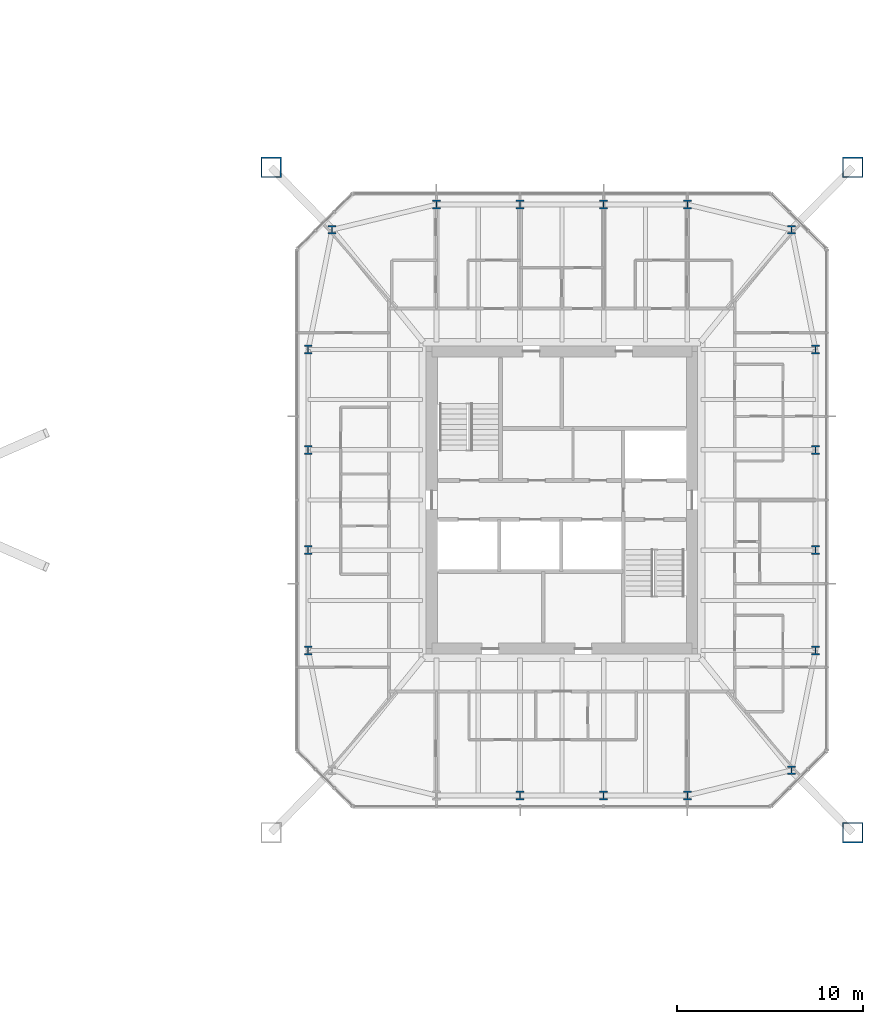
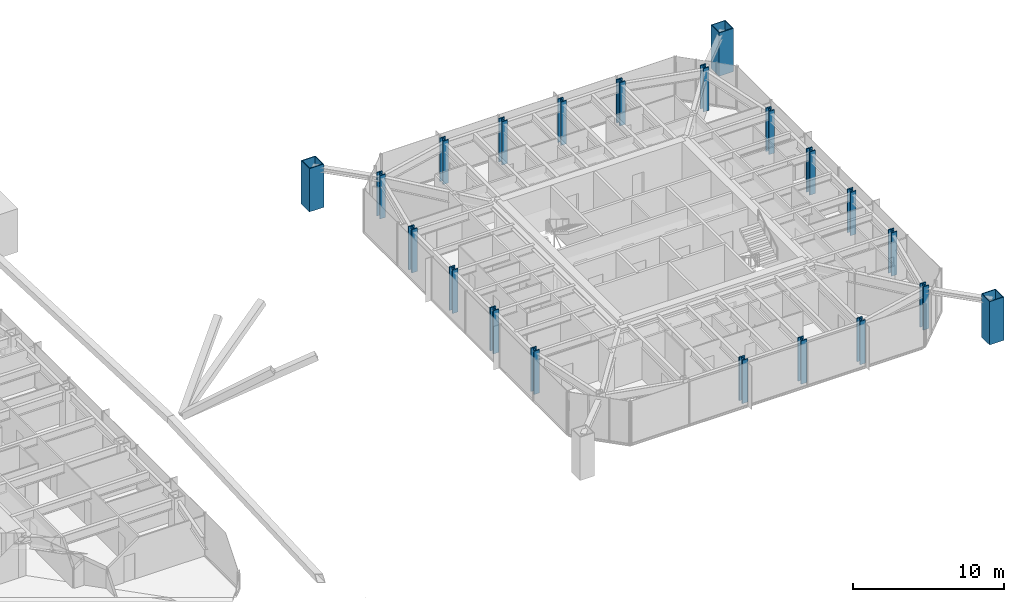
# One storey, part 2 of 27: 21 columns.
"""IFC4 building model written with IfcOpenShell, lengths in metres."""

import ifcopenshell
import ifcopenshell.guid

model = None  # the IFC model being written
_history = None  # IfcOwnerHistory: only IFC2X3 demands one
_inside = {}  # id of a spatial element -> (the spatial element, [elements in it])
_under = {}  # id of a project, library or spatial element -> (it, [spatial elements below it])
_declared = {}  # id of a project -> (the project, [libraries it declares])
_typed = {}  # id of a type object -> (the type object, [elements of that type])
_made_of = {}  # id of a material, layer set ... -> (it, [elements and type objects made of it])


def new_model(schema):
    """Start an empty IFC model of exactly this schema.

    Asked for "IFC4X3", IfcOpenShell would pick the latest addendum, in which some entities
    have other attributes; the version numbers below select the first issue.
    IFC2X3 requires an IfcOwnerHistory on every rooted entity: one is made here for all.
    """
    global model, _history
    if schema == "IFC4X3":
        model = ifcopenshell.file(schema_version=(4, 3, 0, 0))
    else:
        model = ifcopenshell.file(schema=schema)
    _inside.clear()
    _under.clear()
    _declared.clear()
    _typed.clear()
    _made_of.clear()
    _history = None
    if model.schema == "IFC2X3":
        org = make("IfcOrganization", Name="unknown")
        user = make(
            "IfcPersonAndOrganization",
            ThePerson=make("IfcPerson", FamilyName="unknown"),
            TheOrganization=org,
        )
        app = make(
            "IfcApplication",
            ApplicationDeveloper=org,
            Version="unknown",
            ApplicationFullName="unknown",
            ApplicationIdentifier="unknown",
        )
        _history = make(
            "IfcOwnerHistory",
            OwningUser=user,
            OwningApplication=app,
            ChangeAction="ADDED",
            CreationDate=0,
        )
    return model


def make(cls, **values):
    """One entity of the class cls with the attributes given. An attribute that is None is left unset."""
    return model.create_entity(
        cls, **{name: value for name, value in values.items() if value is not None}
    )


def rooted(cls, **values):
    """An entity with a GlobalId (a new one), such as an element, a storey or a relation."""
    return make(cls, GlobalId=ifcopenshell.guid.new(), OwnerHistory=_history, **values)


def si_unit(unit_type, name, prefix=None):
    """IfcSIUnit, for example si_unit("LENGTHUNIT", "METRE", prefix="MILLI")."""
    return make("IfcSIUnit", UnitType=unit_type, Prefix=prefix, Name=name)


def assignment(units):
    """IfcUnitAssignment: the units of a project."""
    return None if units is None else make("IfcUnitAssignment", Units=units)


def point(xyz):
    """IfcCartesianPoint."""
    return None if xyz is None else make("IfcCartesianPoint", Coordinates=xyz)


def direction(xyz):
    """IfcDirection."""
    return None if xyz is None else make("IfcDirection", DirectionRatios=xyz)


def frame(location, z_axis=None, x_axis=None):
    """IfcAxis2Placement3D, a coordinate frame: its origin and axes. An axis left out is left unset."""
    return make(
        "IfcAxis2Placement3D",
        Location=point(location),
        Axis=direction(z_axis),
        RefDirection=direction(x_axis),
    )


def frame_2d(location, x_axis=None):
    """IfcAxis2Placement2D, a coordinate frame in the plane: its origin and x axis."""
    return make(
        "IfcAxis2Placement2D", Location=point(location), RefDirection=direction(x_axis)
    )


def origin():
    """The frame at (0, 0, 0) with its axes left unset."""
    return frame((0.0, 0.0, 0.0))


def origin_2d():
    """The frame at (0, 0) in the plane with its x axis left unset."""
    return frame_2d((0.0, 0.0))


def place(relative_to, where):
    """IfcLocalPlacement: puts the frame where relative to a parent placement (None: the world)."""
    return make(
        "IfcLocalPlacement", PlacementRelTo=relative_to, RelativePlacement=where
    )


def context(
    kind, dimensions, precision=None, world=None, true_north=None, identifier=None
):
    """IfcGeometricRepresentationContext, for example the 3D "Model" context."""
    return make(
        "IfcGeometricRepresentationContext",
        ContextIdentifier=identifier,
        ContextType=kind,
        CoordinateSpaceDimension=dimensions,
        Precision=precision,
        WorldCoordinateSystem=world,
        TrueNorth=true_north,
    )


def subcontext(parent, identifier, kind, view, scale=None):
    """IfcGeometricRepresentationSubContext, for example "Body" below "Model"."""
    return make(
        "IfcGeometricRepresentationSubContext",
        ContextIdentifier=identifier,
        ContextType=kind,
        ParentContext=parent,
        TargetScale=scale,
        TargetView=view,
    )


def project(units=None, contexts=None):
    """IfcProject with its units and contexts."""
    return rooted(
        "IfcProject",
        Name="project",
        RepresentationContexts=contexts,
        UnitsInContext=assignment(units),
    )


def spatial(cls, under=None, at=None, **own):
    """A site, building, storey or space (cls), placed at a placement, below another one or the project."""
    s = rooted(cls, ObjectPlacement=at, **own)
    if under is not None:
        _under.setdefault(under.id(), (under, []))[1].append(s)
    return s


def profile(cls, at=None, kind="AREA", **sizes):
    """A parametric profile (cls). Its sizes go by their IFC names, for example OverallWidth=200.0."""
    return make(cls, ProfileType=kind, Position=at, **sizes)


def hollow_rectangle(**sizes):
    """IfcRectangleHollowProfileDef."""
    return profile("IfcRectangleHollowProfileDef", **sizes)


def i_section(**sizes):
    """IfcIShapeProfileDef."""
    return profile("IfcIShapeProfileDef", **sizes)


def extrude(swept, where, along, depth):
    """IfcExtrudedAreaSolid: the profile swept, set in the frame where, extruded along a direction by depth."""
    return make(
        "IfcExtrudedAreaSolid",
        SweptArea=swept,
        Position=where,
        ExtrudedDirection=direction(along),
        Depth=depth,
    )


def shape(context_of_items, identifier, shape_type, items):
    """IfcShapeRepresentation: the items that make up one representation, for example the "Body"."""
    return make(
        "IfcShapeRepresentation",
        ContextOfItems=context_of_items,
        RepresentationIdentifier=identifier,
        RepresentationType=shape_type,
        Items=items,
    )


def material(Name=None, Category=None):
    """IfcMaterial."""
    return make("IfcMaterial", Name=Name, Category=Category)


def material_profile(
    of_material, cross_section, Name=None, Category=None, Priority=None
):
    """IfcMaterialProfile: a cross section and its material."""
    return make(
        "IfcMaterialProfile",
        Name=Name,
        Material=of_material,
        Profile=cross_section,
        Priority=Priority,
        Category=Category,
    )


def profile_set(profiles, Name=None, composite=None):
    """IfcMaterialProfileSet."""
    return make(
        "IfcMaterialProfileSet",
        Name=Name,
        MaterialProfiles=profiles,
        CompositeProfile=composite,
    )


def made_of(thing, what):
    """Note that an element or type object is made of a material, layer set ...; save() writes the relation."""
    if what is not None:
        _made_of.setdefault(what.id(), (what, []))[1].append(thing)
    return thing


def type_object(cls, material=None, **own):
    """A type object (cls), such as IfcWallType, which elements share."""
    return made_of(rooted(cls, **own), material)


def element(
    cls,
    number,
    at=None,
    inside=None,
    cuts=None,
    type_object=None,
    material=None,
    context=None,
    identifier="Body",
    shape_type=None,
    held_by="IfcProductDefinitionShape",
    body=None,
    shapes=None,
    **own,
):
    """One element of the class cls, such as IfcWall. Its Tag is "e" and its number.

    at: its placement. inside: the storey or other place that contains it. cuts: it is an
    opening in that element (IfcRelVoidsElement). A single representation is given by context,
    identifier, shape_type and body (its items); several are given by shapes. held_by: the class
    of the entity that holds the representations. save() writes the other relations.
    """
    e = rooted(cls, Tag="e%d" % number, ObjectPlacement=at, **own)
    if body is not None:
        shapes = [shape(context, identifier, shape_type, body)]
    if shapes is not None:
        e.Representation = make(held_by, Representations=shapes)
    if inside is not None:
        _inside.setdefault(inside.id(), (inside, []))[1].append(e)
    if cuts is not None:
        rooted(
            "IfcRelVoidsElement", RelatingBuildingElement=cuts, RelatedOpeningElement=e
        )
    if type_object is not None:
        _typed.setdefault(type_object.id(), (type_object, []))[1].append(e)
    return made_of(e, material)


def aggregate(whole, parts):
    """IfcRelAggregates: a whole, such as a stair, and the parts it consists of."""
    return rooted("IfcRelAggregates", RelatingObject=whole, RelatedObjects=parts)


def save(model, path):
    """Write the relations noted so far, then the file.

    IfcRelAggregates (storeys below a building ...), IfcRelContainedInSpatialStructure (elements
    in a storey), IfcRelDefinesByType, IfcRelAssociatesMaterial and IfcRelDeclares: one each for
    every whole, place, type object, material and project.
    """
    for whole, parts in _under.values():
        aggregate(whole, parts)
    for where, things in _inside.values():
        rooted(
            "IfcRelContainedInSpatialStructure",
            RelatedElements=things,
            RelatingStructure=where,
        )
    for kind, things in _typed.values():
        rooted("IfcRelDefinesByType", RelatedObjects=things, RelatingType=kind)
    for what, things in _made_of.values():
        rooted("IfcRelAssociatesMaterial", RelatedObjects=things, RelatingMaterial=what)
    for by, libraries in _declared.values():
        rooted("IfcRelDeclares", RelatingContext=by, RelatedDefinitions=libraries)
    model.write(path)


model = new_model("IFC4")

# Units and contexts
model_context = context("Model", 3, precision=1e-05, world=origin(), true_north=direction((0.0, 1.0)))
body_context = subcontext(model_context, "Body", "Model", "MODEL_VIEW")
ifc_project = project(units=[si_unit("LENGTHUNIT", "METRE"), si_unit("AREAUNIT", "SQUARE_METRE"), si_unit("VOLUMEUNIT", "CUBIC_METRE"), si_unit("PLANEANGLEUNIT", "RADIAN"), si_unit("MASSUNIT", "GRAM", prefix="KILO")], contexts=[model_context])

# Site, building, storey
site_placement = place(None, origin())
site = spatial("IfcSite", under=ifc_project, at=site_placement, CompositionType="ELEMENT")
building_placement = place(site_placement, origin())
building = spatial("IfcBuilding", under=site, at=building_placement, Name="Iwan Alto Co-Living Towers", CompositionType="ELEMENT")
storey_placement = place(building_placement, frame((0.0, 0.0, 91.0)))
storey = spatial("IfcBuildingStorey", under=building, at=storey_placement, Name="L24", CompositionType="ELEMENT", Elevation=91.0)

# Columns
ifc_material_1 = material(Name="Steel ASTM A572 Gr 50", Category="steel")
ifc_material_profile_1 = material_profile(ifc_material_1, hollow_rectangle(XDim=1.10009765625, YDim=1.10009765625, WallThickness=0.06005859375, at=origin_2d()), Name="BOX 1100X1100X60")
ifc_profile_set_1 = profile_set([ifc_material_profile_1], Name="Steel ASTM A572 Gr 50")
column_type_1 = type_object("IfcColumnType", Name="T2 MEGA COLUMN BOX 1100X1100X60", PredefinedType="COLUMN", material=ifc_profile_set_1)
for number, where, z_axis, x_axis, name in (
    (1, (78.64990234375, -17.89990234375, 0.0), (0.0, 0.0, 1.0), (1.0, 0.0, 0.0), "T2 mega column SE L24"),
    (2, (78.64990234375, 17.89990234375, 0.0), (0.0, 0.0, 1.0), (1.0, 0.0, 0.0), "T2 mega column NE L24"),
    (3, (47.35009765625, 17.89990234375, 0.0), (0.0, 0.0, 1.0), (1.0, 0.0, 0.0), "T2 mega column NW L24"),
):
    element("IfcColumn", number, at=place(storey_placement, frame(where, z_axis=z_axis, x_axis=x_axis)), inside=storey, type_object=column_type_1, Name=name, PredefinedType="COLUMN", context=body_context, shape_type="SweptSolid", body=[
        extrude(hollow_rectangle(XDim=1.10009765625, YDim=1.10009765625, WallThickness=0.06005859375, at=origin_2d()), origin(), (0.0, 0.0, 1.0), 3.5),
    ])
ifc_material_2 = material(Name="Steel ASTM A992 Gr 50", Category="steel")
ifc_material_profile_2 = material_profile(ifc_material_2, i_section(OverallWidth=0.4267578125, OverallDepth=0.482666015625, WebThickness=0.05126953125, FlangeThickness=0.08154296875, at=origin_2d()), Name="W14X455")
ifc_profile_set_2 = profile_set([ifc_material_profile_2], Name="Steel ASTM A992 Gr 50")
column_type_2 = type_object("IfcColumnType", Name="T2 RING COLUMN W14X455", PredefinedType="COLUMN", material=ifc_profile_set_2)
for number, where, z_axis, x_axis, name in (
    (4, (60.75, -15.89990234375, 0.0), (0.0, 0.0, 1.0), (1.0, 0.0, 0.0), "T2 ring column S2 L24"),
    (5, (65.25, -15.89990234375, 0.0), (0.0, 0.0, 1.0), (1.0, 0.0, 0.0), "T2 ring column S3 L24"),
    (6, (69.75, -15.89990234375, 0.0), (0.0, 0.0, 1.0), (1.0, 0.0, 0.0), "T2 ring column S4 L24"),
    (7, (75.361328125, -14.542724609375, 0.0), (0.0, 0.0, 1.0), (1.0, 0.0, 0.0), "T2 ring column CSE L24"),
    (8, (76.64990234375, -8.10009765625, 0.0), (0.0, 0.0, 1.0), (1.0, 0.0, 0.0), "T2 ring column E1 L24"),
    (9, (76.64990234375, -2.699951171875, 0.0), (0.0, 0.0, 1.0), (1.0, 0.0, 0.0), "T2 ring column E2 L24"),
    (10, (76.64990234375, 2.699951171875, 0.0), (0.0, 0.0, 1.0), (1.0, 0.0, 0.0), "T2 ring column E3 L24"),
    (11, (76.64990234375, 8.10009765625, 0.0), (0.0, 0.0, 1.0), (1.0, 0.0, 0.0), "T2 ring column E4 L24"),
    (12, (75.361328125, 14.542724609375, 0.0), (0.0, 0.0, 1.0), (1.0, 0.0, 0.0), "T2 ring column CNE L24"),
    (13, (69.75, 15.89990234375, 0.0), (0.0, 0.0, 1.0), (1.0, 0.0, 0.0), "T2 ring column N1 L24"),
    (14, (65.25, 15.89990234375, 0.0), (0.0, 0.0, 1.0), (1.0, 0.0, 0.0), "T2 ring column N2 L24"),
    (15, (60.75, 15.89990234375, 0.0), (0.0, 0.0, 1.0), (1.0, 0.0, 0.0), "T2 ring column N3 L24"),
    (16, (56.25, 15.89990234375, 0.0), (0.0, 0.0, 1.0), (1.0, 0.0, 0.0), "T2 ring column N4 L24"),
    (17, (50.638671875, 14.542724609375, 0.0), (0.0, 0.0, 1.0), (1.0, 0.0, 0.0), "T2 ring column CNW L24"),
    (18, (49.35009765625, 8.10009765625, 0.0), (0.0, 0.0, 1.0), (1.0, 0.0, 0.0), "T2 ring column W1 L24"),
    (19, (49.35009765625, 2.699951171875, 0.0), (0.0, 0.0, 1.0), (1.0, 0.0, 0.0), "T2 ring column W2 L24"),
    (20, (49.35009765625, -2.699951171875, 0.0), (0.0, 0.0, 1.0), (1.0, 0.0, 0.0), "T2 ring column W3 L24"),
    (21, (49.35009765625, -8.10009765625, 0.0), (0.0, 0.0, 1.0), (1.0, 0.0, 0.0), "T2 ring column W4 L24"),
):
    element("IfcColumn", number, at=place(storey_placement, frame(where, z_axis=z_axis, x_axis=x_axis)), inside=storey, type_object=column_type_2, Name=name, PredefinedType="COLUMN", context=body_context, shape_type="SweptSolid", body=[
        extrude(i_section(OverallWidth=0.4267578125, OverallDepth=0.482666015625, WebThickness=0.05126953125, FlangeThickness=0.08154296875, at=origin_2d()), origin(), (0.0, 0.0, 1.0), 3.5),
    ])

save(model, "model.ifc")
